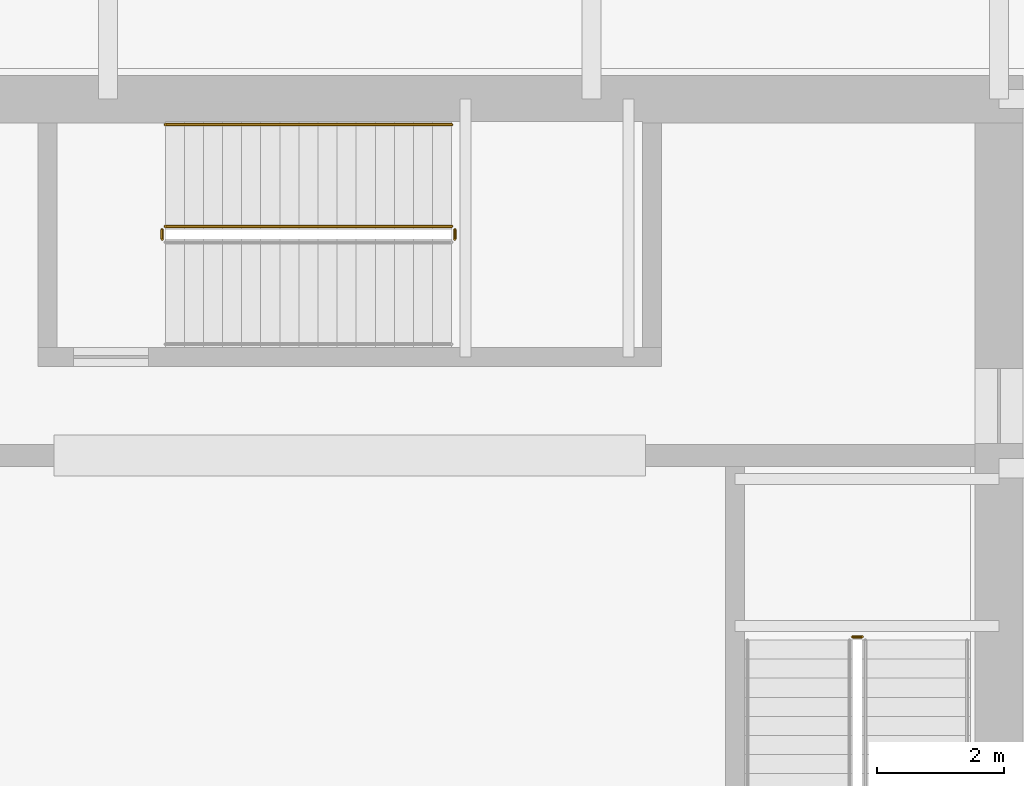
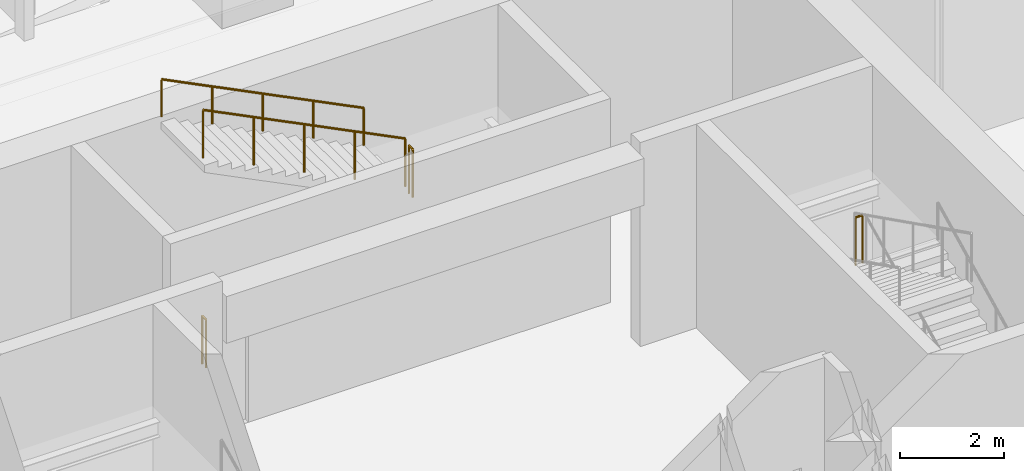
# One storey, part 10 of 12: 5 railings.
"""IFC4 building model written with IfcOpenShell, lengths in metres."""

from ifc_helpers import new_model, si_unit, direction, frame, origin, origin_2d, place, context, subcontext, project, spatial, circle, extrude, material, type_object, element, save


model = new_model("IFC4")

# Units and contexts
model_context = context("Model", 3, precision=1e-05, world=origin(), true_north=direction((0.0, 1.0)))
body_context = subcontext(model_context, "Body", "Model", "MODEL_VIEW")
ifc_project = project(units=[si_unit("LENGTHUNIT", "METRE"), si_unit("AREAUNIT", "SQUARE_METRE"), si_unit("VOLUMEUNIT", "CUBIC_METRE"), si_unit("PLANEANGLEUNIT", "RADIAN"), si_unit("MASSUNIT", "GRAM", prefix="KILO")], contexts=[model_context])

# Site, building, storey
site_placement = place(None, origin())
site = spatial("IfcSite", under=ifc_project, at=site_placement, CompositionType="ELEMENT")
building_placement = place(site_placement, origin())
building = spatial("IfcBuilding", under=site, at=building_placement, Name="Punatoya Terracotta Tower", CompositionType="ELEMENT")
storey_placement = place(building_placement, frame((0.0, 0.0, -4.800048828125)))
storey = spatial("IfcBuildingStorey", under=building, at=storey_placement, Name="B1", CompositionType="ELEMENT", Elevation=-4.800048828125)

# Railings
ifc_material = material(Name="Steel S355", Category="steel")
railing_type_1 = type_object("IfcRailingType", Name="RLG-GRD-1150", PredefinedType="GUARDRAIL", material=ifc_material)
railing_1_placement = place(storey_placement, frame((8.050048828125, 0.75, 2.400146484375)))
element("IfcRailing", 1, at=railing_1_placement, inside=storey, type_object=railing_type_1, Name="B1 ST-2 stair guard 2", PredefinedType="GUARDRAIL", context=body_context, shape_type="SweptSolid", body=[
    extrude(circle(Radius=0.02392578125, at=origin_2d()), frame((0.0, 0.0, 1.1259765625), z_axis=(-1.0, 0.0, 0.0), x_axis=(0.0, -1.0, 0.0)), (0.0, 0.0, 1.0), 0.150146484375),
    extrude(circle(Radius=0.02099609375, at=origin_2d()), origin(), (0.0, 0.0, 1.0), 1.101806640625),
    extrude(circle(Radius=0.02099609375, at=origin_2d()), frame((-0.150146484375, 0.0, 0.0)), (0.0, 0.0, 1.0), 1.101806640625),
])
railing_2_placement = place(storey_placement, frame((1.64990234375, 7.0, 2.400146484375)))
element("IfcRailing", 2, at=railing_2_placement, inside=storey, type_object=railing_type_1, Name="B1 ST-3 stair guard 2", PredefinedType="GUARDRAIL", context=body_context, shape_type="SweptSolid", body=[
    extrude(circle(Radius=0.02392578125, at=origin_2d()), frame((0.0, 0.0, 1.1259765625), z_axis=(0.0, 1.0, 0.0), x_axis=(-1.0, 0.0, 0.0)), (0.0, 0.0, 1.0), 0.14990234375),
    extrude(circle(Radius=0.02099609375, at=origin_2d()), origin(), (0.0, 0.0, 1.0), 1.101806640625),
    extrude(circle(Radius=0.02099609375, at=origin_2d()), frame((0.0, 0.14990234375, 0.0)), (0.0, 0.0, 1.0), 1.101806640625),
])
railing_3_placement = place(storey_placement, frame((1.60009765625, 7.199951171875, 2.550048828125)))
element("IfcRailing", 3, at=railing_3_placement, inside=storey, type_object=railing_type_1, Name="B1 ST-3 stair guard 3", PredefinedType="GUARDRAIL", context=body_context, shape_type="SweptSolid", body=[
    extrude(circle(Radius=0.02392578125, at=origin_2d()), frame((0.0, 0.0, 1.1259765625), z_axis=(-0.894427191, 0.0, 0.4472135955), x_axis=(0.0, -1.0, 0.0)), (0.0, 0.0, 1.0), 5.03125),
    extrude(circle(Radius=0.02099609375, at=origin_2d()), origin(), (0.0, 0.0, 1.0), 1.101806640625),
    extrude(circle(Radius=0.02099609375, at=origin_2d()), frame((-1.125, 0.0, 0.5625)), (0.0, 0.0, 1.0), 1.101806640625),
    extrude(circle(Radius=0.02099609375, at=origin_2d()), frame((-2.25, 0.0, 1.125)), (0.0, 0.0, 1.0), 1.101806640625),
    extrude(circle(Radius=0.02099609375, at=origin_2d()), frame((-3.375, 0.0, 1.6875)), (0.0, 0.0, 1.0), 1.101806640625),
    extrude(circle(Radius=0.02099609375, at=origin_2d()), frame((-4.5, 0.0, 2.25)), (0.0, 0.0, 1.0), 1.101806640625),
])
railing_4_placement = place(storey_placement, frame((-2.949951171875, 7.0, 0.0)))
element("IfcRailing", 4, at=railing_4_placement, inside=storey, type_object=railing_type_1, Name="B1 ST-3 stair guard 4", PredefinedType="GUARDRAIL", context=body_context, shape_type="SweptSolid", body=[
    extrude(circle(Radius=0.02392578125, at=origin_2d()), frame((0.0, 0.0, 1.1259765625), z_axis=(0.0, 1.0, 0.0), x_axis=(-1.0, 0.0, 0.0)), (0.0, 0.0, 1.0), 0.14990234375),
    extrude(circle(Radius=0.02099609375, at=origin_2d()), origin(), (0.0, 0.0, 1.0), 1.101806640625),
    extrude(circle(Radius=0.02099609375, at=origin_2d()), frame((0.0, 0.14990234375, 0.0)), (0.0, 0.0, 1.0), 1.101806640625),
])
railing_type_2 = type_object("IfcRailingType", Name="RLG-HND-900", PredefinedType="HANDRAIL", material=ifc_material)
railing_5_placement = place(storey_placement, frame((1.60009765625, 8.800048828125, 2.550048828125)))
element("IfcRailing", 5, at=railing_5_placement, inside=storey, type_object=railing_type_2, Name="B1 ST-3 stair handrail 2", PredefinedType="HANDRAIL", context=body_context, shape_type="SweptSolid", body=[
    extrude(circle(Radius=0.02392578125, at=origin_2d()), frame((0.0, 0.0, 0.8759765625), z_axis=(-0.894427191, 0.0, 0.4472135955), x_axis=(0.0, -1.0, 0.0)), (0.0, 0.0, 1.0), 5.03125),
    extrude(circle(Radius=0.02099609375, at=origin_2d()), origin(), (0.0, 0.0, 1.0), 0.851806640625),
    extrude(circle(Radius=0.02099609375, at=origin_2d()), frame((-1.125, 0.0, 0.5625)), (0.0, 0.0, 1.0), 0.851806640625),
    extrude(circle(Radius=0.02099609375, at=origin_2d()), frame((-2.25, 0.0, 1.125)), (0.0, 0.0, 1.0), 0.851806640625),
    extrude(circle(Radius=0.02099609375, at=origin_2d()), frame((-3.375, 0.0, 1.6875)), (0.0, 0.0, 1.0), 0.851806640625),
    extrude(circle(Radius=0.02099609375, at=origin_2d()), frame((-4.5, 0.0, 2.25)), (0.0, 0.0, 1.0), 0.851806640625),
])

save(model, "model.ifc")
